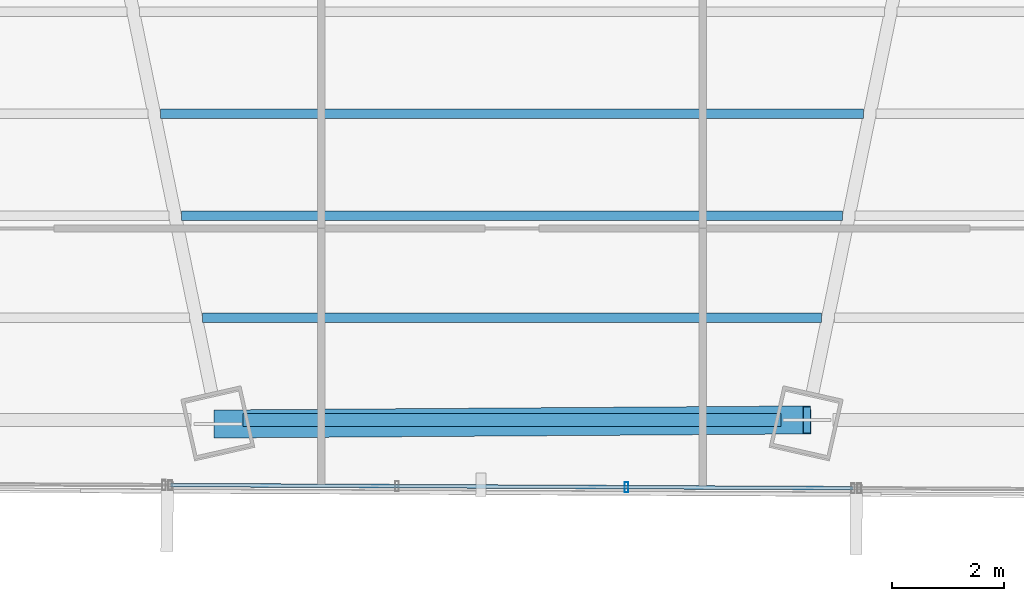
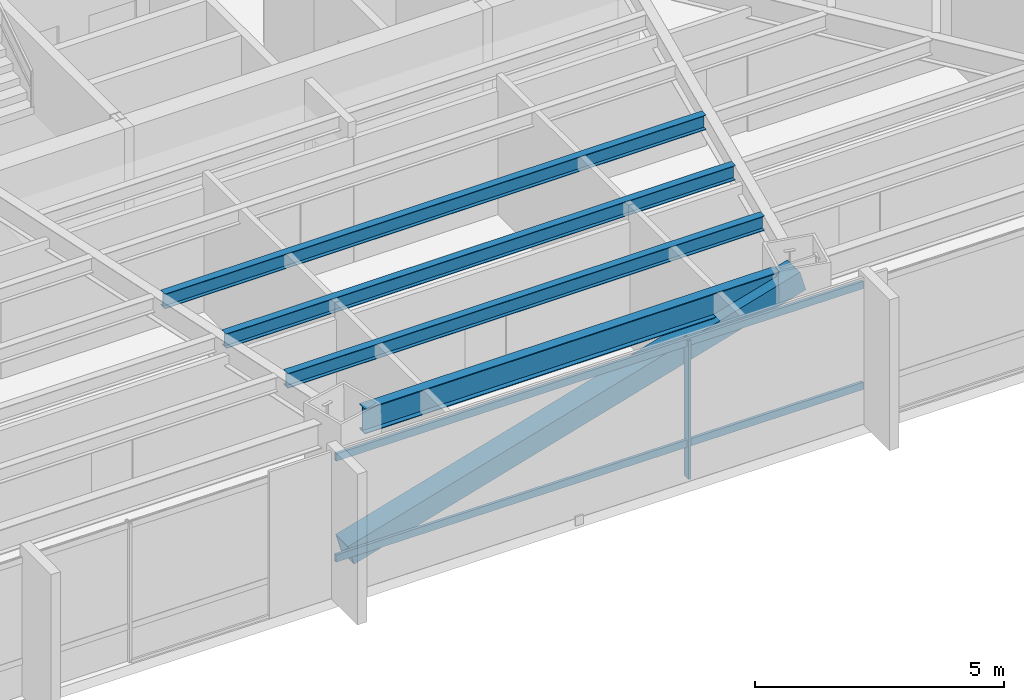
# One storey, part 9 of 35: 4 beams, 4 members, 1 element without a shape of its own.
"""IFC4 building model written with IfcOpenShell, lengths in metres."""

from ifc_helpers import new_model, si_unit, direction, frame, origin, origin_2d, place, context, subcontext, project, spatial, hollow_rectangle, i_section, extrude, source, transform, mapped, material, material_profile, profile_set, type_object, type_shapes, element, aggregate, save


model = new_model("IFC4")

# Units and contexts
model_context = context("Model", 3, precision=1e-05, world=origin(), true_north=direction((0.0, 1.0)))
body_context = subcontext(model_context, "Body", "Model", "MODEL_VIEW")
ifc_project = project(units=[si_unit("LENGTHUNIT", "METRE"), si_unit("AREAUNIT", "SQUARE_METRE"), si_unit("VOLUMEUNIT", "CUBIC_METRE"), si_unit("PLANEANGLEUNIT", "RADIAN"), si_unit("MASSUNIT", "GRAM", prefix="KILO")], contexts=[model_context])

# Site, building, storey
site_placement = place(None, origin())
site = spatial("IfcSite", under=ifc_project, at=site_placement, CompositionType="ELEMENT")
building_placement = place(site_placement, origin())
building = spatial("IfcBuilding", under=site, at=building_placement, Name="Caelisora Broadcast Tower", CompositionType="ELEMENT")
storey_placement = place(building_placement, frame((0.0, 0.0, 109.050048828125)))
storey = spatial("IfcBuildingStorey", under=building, at=storey_placement, Name="L28", CompositionType="ELEMENT", Elevation=109.050048828125)

# Beams
ifc_material_1 = material(Name="Steel Grade 350 (AS/NZS 3679.1)", Category="steel")
ifc_material_profile_1 = material_profile(ifc_material_1, i_section(OverallWidth=0.22900390625, OverallDepth=0.611572265625, WebThickness=0.011962890625, FlangeThickness=0.01953125, at=origin_2d()), Name="Steel Grade 350 (AS/NZS 3679.1)")
ifc_profile_set_1 = profile_set([ifc_material_profile_1], Name="Steel Grade 350 (AS/NZS 3679.1)")
beam_type_1 = type_object("IfcBeamType", Name="PG03", PredefinedType="BEAM", material=ifc_profile_set_1)
shared_shape_1 = source(origin(), body_context, "Body", "SweptSolid", [
    extrude(i_section(OverallWidth=0.22900390625, OverallDepth=0.611572265625, WebThickness=0.011962890625, FlangeThickness=0.01953125, at=origin_2d()), origin(), (0.0, 0.0, 1.0), 9.59912109375),
])
type_shapes(beam_type_1, [shared_shape_1])
beam_1_placement = place(storey_placement, frame((33.200439453125, 6.485595703125, 3.09423828125), z_axis=(1.0, 0.0, 0.0), x_axis=(0.0, 1.0, 0.0)))
element("IfcBeam", 1, at=beam_1_placement, inside=storey, type_object=beam_type_1, Name="L28 beam PG03", PredefinedType="BEAM", context=body_context, shape_type="MappedRepresentation", body=[
    mapped(shared_shape_1, transform((0.0, 0.0, 0.0), scale=1.0)),
])
ifc_material_profile_2 = material_profile(ifc_material_1, i_section(OverallWidth=0.172119140625, OverallDepth=0.358642578125, WebThickness=0.008056640625, FlangeThickness=0.012939453125, at=origin_2d()), Name="Steel Grade 350 (AS/NZS 3679.1)")
ifc_profile_set_2 = profile_set([ifc_material_profile_2], Name="Steel Grade 350 (AS/NZS 3679.1)")
beam_type_2 = type_object("IfcBeamType", Name="SB02", PredefinedType="JOIST", material=ifc_profile_set_2)
shared_shape_2 = source(origin(), body_context, "Body", "SweptSolid", [
    extrude(i_section(OverallWidth=0.172119140625, OverallDepth=0.358642578125, WebThickness=0.008056640625, FlangeThickness=0.012939453125, at=origin_2d()), origin(), (0.0, 0.0, 1.0), 12.53271484375),
])
beam_2_placement = place(storey_placement, frame((31.733642578125, 11.94287109375, 3.220703125), z_axis=(1.0, 0.0, 0.0), x_axis=(0.0, 1.0, 0.0)))
element("IfcBeam", 2, at=beam_2_placement, inside=storey, type_object=beam_type_2, Name="L28 beam SB02", PredefinedType="JOIST", context=body_context, shape_type="MappedRepresentation", body=[
    mapped(shared_shape_2, transform((0.0, 0.0, 0.0), scale=1.0)),
])
shared_shape_3 = source(origin(), body_context, "Body", "SweptSolid", [
    extrude(i_section(OverallWidth=0.172119140625, OverallDepth=0.358642578125, WebThickness=0.008056640625, FlangeThickness=0.012939453125, at=origin_2d()), origin(), (0.0, 0.0, 1.0), 11.78564453125),
])
beam_3_placement = place(storey_placement, frame((32.107177734375, 10.123779296875, 3.220703125), z_axis=(1.0, 0.0, 0.0), x_axis=(0.0, 1.0, 0.0)))
element("IfcBeam", 3, at=beam_3_placement, inside=storey, type_object=beam_type_2, Name="L28 beam SB02", PredefinedType="JOIST", context=body_context, shape_type="MappedRepresentation", body=[
    mapped(shared_shape_3, transform((0.0, 0.0, 0.0), scale=1.0)),
])
shared_shape_4 = source(origin(), body_context, "Body", "SweptSolid", [
    extrude(i_section(OverallWidth=0.172119140625, OverallDepth=0.358642578125, WebThickness=0.008056640625, FlangeThickness=0.012939453125, at=origin_2d()), origin(), (0.0, 0.0, 1.0), 11.0390625),
])
type_shapes(beam_type_2, [shared_shape_2, shared_shape_3, shared_shape_4])
beam_4_placement = place(storey_placement, frame((32.48046875, 8.3046875, 3.220703125), z_axis=(1.0, 0.0, 0.0), x_axis=(0.0, 1.0, 0.0)))
element("IfcBeam", 4, at=beam_4_placement, inside=storey, type_object=beam_type_2, Name="L28 beam SB02", PredefinedType="JOIST", context=body_context, shape_type="MappedRepresentation", body=[
    mapped(shared_shape_4, transform((0.0, 0.0, 0.0), scale=1.0)),
])

# Member
ifc_material_2 = material(Name="Steel Grade 450 L15 (AS/NZS 3678)", Category="steel")
ifc_material_profile_3 = material_profile(ifc_material_2, hollow_rectangle(XDim=0.5, YDim=0.5, WallThickness=0.02001953125, at=origin_2d()), Name="Steel Grade 450 L15 (AS/NZS 3678)")
ifc_profile_set_3 = profile_set([ifc_material_profile_3], Name="Steel Grade 450 L15 (AS/NZS 3678)")
member_type_1 = type_object("IfcMemberType", Name="BR02", PredefinedType="BRACE", material=ifc_profile_set_3)
shared_shape_5 = source(origin(), body_context, "Body", "SweptSolid", [
    extrude(hollow_rectangle(XDim=0.5, YDim=0.5, WallThickness=0.02001953125, at=origin_2d()), origin(), (0.0, 0.0, 1.0), 10.923095703125),
])
type_shapes(member_type_1, [shared_shape_5])
member_1_placement = place(storey_placement, frame((32.7568359375, 6.413330078125, 0.099853515625), z_axis=(0.961521457682, 0.006615922069, 0.274650170204), x_axis=(-0.006880517757, 0.999976328958, 0.0)))
element("IfcMember", 5, at=member_1_placement, inside=storey, type_object=member_type_1, Name="L28 perimeter brace BR02", PredefinedType="BRACE", context=body_context, shape_type="MappedRepresentation", body=[
    mapped(shared_shape_5, transform((0.0, 0.0, 0.0), scale=1.0)),
])

# Curtain wall, members
ifc_material_3 = material(Name="Unitised Aluminium Insulated Shadow-Box Spandrel Curtain Wall", Category="aluminium")
curtain_wall_type = type_object("IfcCurtainWallType", Name="CW-SP1", PredefinedType="NOTDEFINED", material=ifc_material_3)
curtain_wall_placement = place(storey_placement, origin())
curtain_wall = element("IfcCurtainWall", 6, at=curtain_wall_placement, inside=storey, type_object=curtain_wall_type, Name="L28 curtain wall CW-SP1", PredefinedType="NOTDEFINED")
ifc_material_4 = material(Name="Aluminium 6063-T6 Anodised Terracotta Bronze", Category="aluminium")
ifc_material_profile_4 = material_profile(ifc_material_4, hollow_rectangle(XDim=0.06494140625, YDim=0.179931640625, WallThickness=0.00341796875, at=origin_2d()), Name="Aluminium 6063-T6 Anodised Terracotta Bronze")
ifc_profile_set_4 = profile_set([ifc_material_profile_4], Name="Aluminium 6063-T6 Anodised Terracotta Bronze")
member_type_2 = type_object("IfcMemberType", Name="CWM-02", PredefinedType="MULLION", material=ifc_profile_set_4)
shared_shape_6 = source(origin(), body_context, "Body", "SweptSolid", [
    extrude(hollow_rectangle(XDim=0.06494140625, YDim=0.179931640625, WallThickness=0.00341796875, at=origin_2d()), origin(), (0.0, 0.0, 1.0), 3.39990234375),
])
type_shapes(member_type_2, [shared_shape_6])
member_2_placement = place(storey_placement, frame((40.040771484375, 5.287109375, 0.0), z_axis=(0.0, 0.0, 1.0), x_axis=(1.0, 0.0, 0.0)))
member_2 = element("IfcMember", 7, at=member_2_placement, type_object=member_type_2, Name="L28-CW-B06 mullion #1", PredefinedType="MULLION", context=body_context, shape_type="MappedRepresentation", body=[
    mapped(shared_shape_6, transform((0.0, 0.0, 0.0), scale=1.0)),
])
ifc_material_profile_5 = material_profile(ifc_material_4, hollow_rectangle(XDim=0.06494140625, YDim=0.179931640625, WallThickness=0.00341796875, at=origin_2d()), Name="Aluminium 6063-T6 Anodised Terracotta Bronze")
ifc_profile_set_5 = profile_set([ifc_material_profile_5], Name="Aluminium 6063-T6 Anodised Terracotta Bronze")
member_type_3 = type_object("IfcMemberType", Name="CWT-01", PredefinedType="USERDEFINED", material=ifc_profile_set_5)
shared_shape_7 = source(origin(), body_context, "Body", "SweptSolid", [
    extrude(hollow_rectangle(XDim=0.06494140625, YDim=0.179931640625, WallThickness=0.00341796875, at=origin_2d()), origin(), (0.0, 0.0, 1.0), 12.176025390625),
])
type_shapes(member_type_3, [shared_shape_7])
member_3_placement = place(storey_placement, frame((44.082763671875, 5.268310546875, 0.849853515625), z_axis=(-0.999989365791, 0.004611757181, 0.0), x_axis=(-0.004611757181, -0.999989365791, 0.0)))
member_3 = element("IfcMember", 8, at=member_3_placement, type_object=member_type_3, Name="L28-CW-B06 transom #1", ObjectType="TRANSOM", PredefinedType="USERDEFINED", context=body_context, shape_type="MappedRepresentation", body=[
    mapped(shared_shape_7, transform((0.0, 0.0, 0.0), scale=1.0)),
])
member_4_placement = place(storey_placement, frame((44.082763671875, 5.268310546875, 3.320068359375), z_axis=(-0.999989365791, 0.004611757181, 0.0), x_axis=(-0.004611757181, -0.999989365791, 0.0)))
member_4 = element("IfcMember", 9, at=member_4_placement, type_object=member_type_3, Name="L28-CW-B06 transom #2", ObjectType="TRANSOM", PredefinedType="USERDEFINED", context=body_context, shape_type="MappedRepresentation", body=[
    mapped(shared_shape_7, transform((0.0, 0.0, 0.0), scale=1.0)),
])
aggregate(curtain_wall, [member_2, member_3, member_4])

save(model, "model.ifc")
